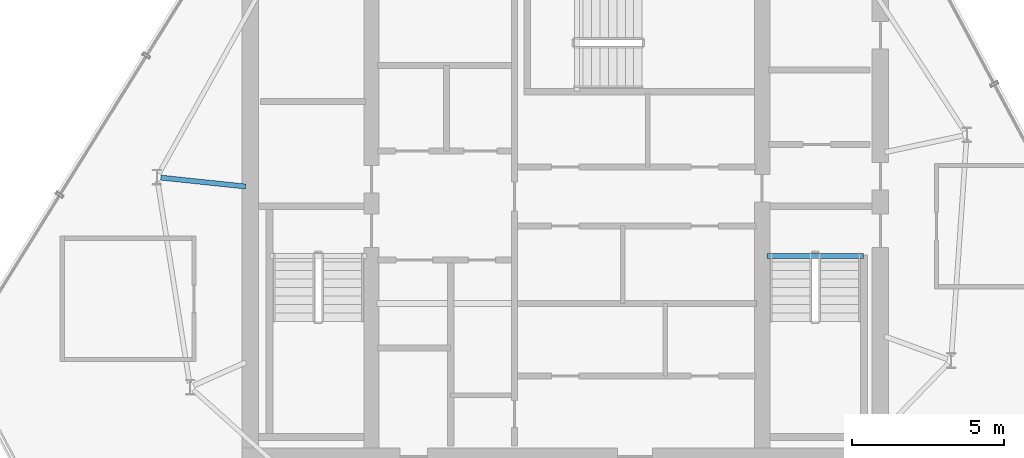
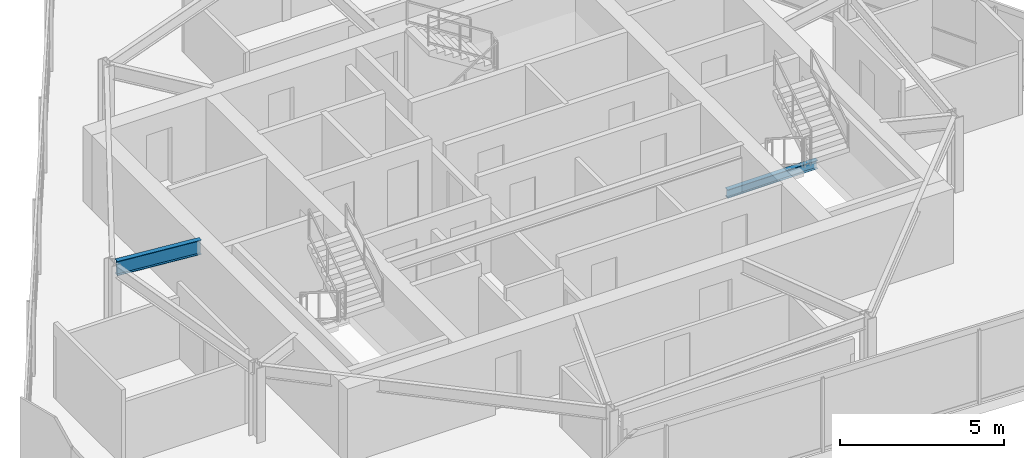
# One storey, part 5 of 16: 2 beams.
"""IFC4 building model written with IfcOpenShell, lengths in metres."""

from ifc_helpers import new_model, si_unit, direction, frame, origin, origin_2d, place, context, subcontext, project, spatial, i_section, extrude, material, material_profile, profile_set, type_object, element, save


model = new_model("IFC4")

# Units and contexts
model_context = context("Model", 3, precision=1e-05, world=origin(), true_north=direction((0.0, 1.0)))
body_context = subcontext(model_context, "Body", "Model", "MODEL_VIEW")
ifc_project = project(units=[si_unit("LENGTHUNIT", "METRE"), si_unit("AREAUNIT", "SQUARE_METRE"), si_unit("VOLUMEUNIT", "CUBIC_METRE"), si_unit("PLANEANGLEUNIT", "RADIAN"), si_unit("MASSUNIT", "GRAM", prefix="KILO")], contexts=[model_context])

# Site, building, storey
site_placement = place(None, origin())
site = spatial("IfcSite", under=ifc_project, at=site_placement, CompositionType="ELEMENT")
building_placement = place(site_placement, origin())
building = spatial("IfcBuilding", under=site, at=building_placement, Name="Qarnah Convention Tower", CompositionType="ELEMENT")
storey_placement = place(building_placement, frame((0.0, 0.0, 286.699951171875)))
storey = spatial("IfcBuildingStorey", under=building, at=storey_placement, Name="L77", CompositionType="ELEMENT", Elevation=286.699951171875)

# Beams
ifc_material = material(Name="Structural steel S355JR", Category="steel")
ifc_material_profile_1 = material_profile(ifc_material, i_section(OverallWidth=0.166015625, OverallDepth=0.31201171875, WebThickness=0.007080078125, FlangeThickness=0.010986328125, at=origin_2d()), Name="W310X45")
ifc_profile_set_1 = profile_set([ifc_material_profile_1], Name="Structural steel S355JR")
beam_type_1 = type_object("IfcBeamType", Name="BM-JST-W310", PredefinedType="JOIST", material=ifc_profile_set_1)
beam_1_placement = place(storey_placement, frame((43.860107421875, 25.217041015625, -0.156005859375), z_axis=(1.0, 0.0, 0.0), x_axis=(0.0, 1.0, 0.0)))
element("IfcBeam", 1, at=beam_1_placement, inside=storey, type_object=beam_type_1, Name="L77 stair landing trimmer beam BM-L77-ST2-TRM", PredefinedType="BEAM", context=body_context, shape_type="SweptSolid", body=[
    extrude(i_section(OverallWidth=0.166015625, OverallDepth=0.31201171875, WebThickness=0.007080078125, FlangeThickness=0.010986328125, at=origin_2d()), origin(), (0.0, 0.0, 1.0), 3.179931640625),
])
ifc_material_profile_2 = material_profile(ifc_material, i_section(OverallWidth=0.166015625, OverallDepth=0.535888671875, WebThickness=0.010009765625, FlangeThickness=0.01708984375, at=origin_2d()), Name="W530X85")
ifc_profile_set_2 = profile_set([ifc_material_profile_2], Name="Structural steel S355JR")
beam_type_2 = type_object("IfcBeamType", Name="BM-RAD-W530B", PredefinedType="BEAM", material=ifc_profile_set_2)
beam_2_placement = place(storey_placement, frame((26.65087890625, 27.509033203125, 2.511962890625), z_axis=(-0.994562369636, 0.104142656506, 0.0), x_axis=(-0.104142656506, -0.994562369636, 0.0)))
element("IfcBeam", 2, at=beam_2_placement, inside=storey, type_object=beam_type_2, Name="L77 beam BM-L77-RAD-05", PredefinedType="BEAM", context=body_context, shape_type="SweptSolid", body=[
    extrude(i_section(OverallWidth=0.166015625, OverallDepth=0.535888671875, WebThickness=0.010009765625, FlangeThickness=0.01708984375, at=origin_2d()), origin(), (0.0, 0.0, 1.0), 2.813232421875),
])

save(model, "model.ifc")
